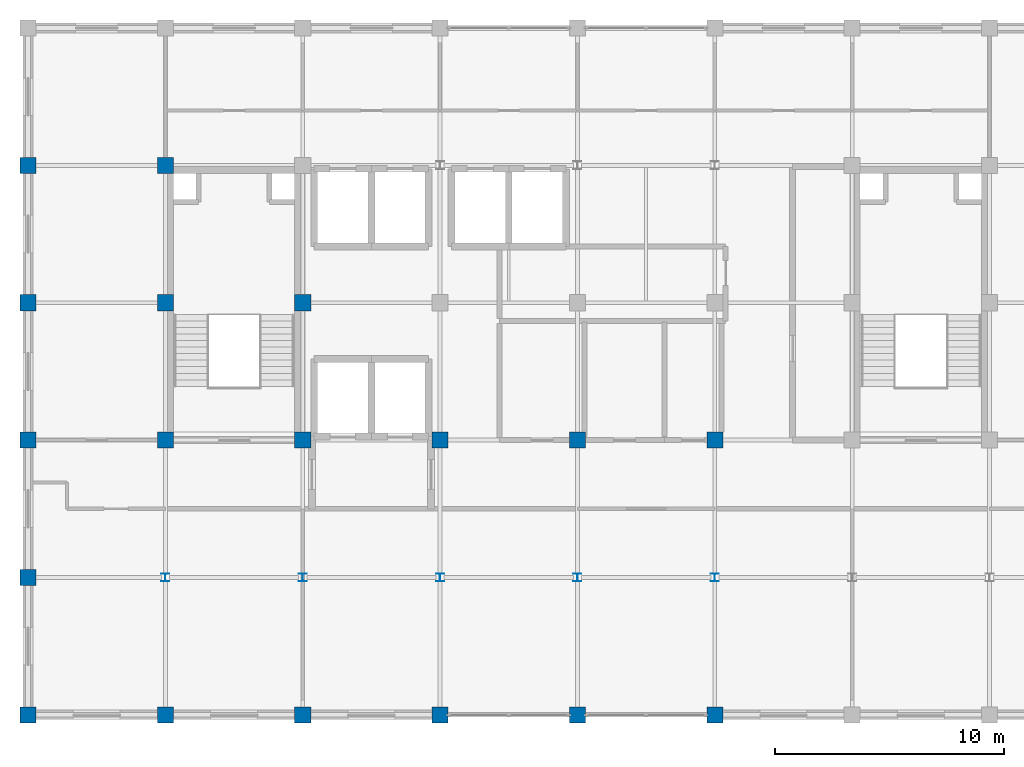
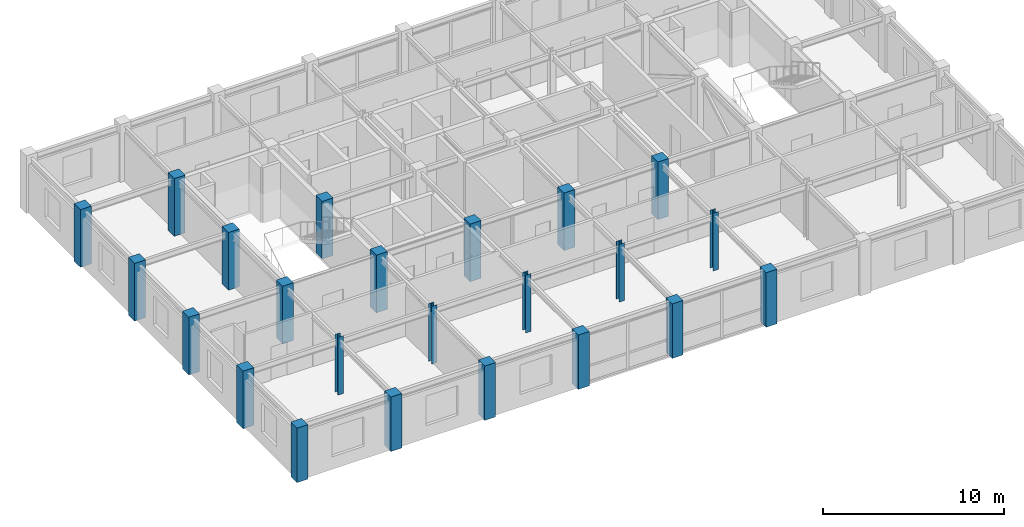
# One storey, part 1 of 13: 23 columns.
"""IFC4 building model written with IfcOpenShell, lengths in metres."""

import ifcopenshell
import ifcopenshell.guid

model = None  # the IFC model being written
_history = None  # IfcOwnerHistory: only IFC2X3 demands one
_inside = {}  # id of a spatial element -> (the spatial element, [elements in it])
_under = {}  # id of a project, library or spatial element -> (it, [spatial elements below it])
_declared = {}  # id of a project -> (the project, [libraries it declares])
_typed = {}  # id of a type object -> (the type object, [elements of that type])
_made_of = {}  # id of a material, layer set ... -> (it, [elements and type objects made of it])


def new_model(schema):
    """Start an empty IFC model of exactly this schema.

    Asked for "IFC4X3", IfcOpenShell would pick the latest addendum, in which some entities
    have other attributes; the version numbers below select the first issue.
    IFC2X3 requires an IfcOwnerHistory on every rooted entity: one is made here for all.
    """
    global model, _history
    if schema == "IFC4X3":
        model = ifcopenshell.file(schema_version=(4, 3, 0, 0))
    else:
        model = ifcopenshell.file(schema=schema)
    _inside.clear()
    _under.clear()
    _declared.clear()
    _typed.clear()
    _made_of.clear()
    _history = None
    if model.schema == "IFC2X3":
        org = make("IfcOrganization", Name="unknown")
        user = make(
            "IfcPersonAndOrganization",
            ThePerson=make("IfcPerson", FamilyName="unknown"),
            TheOrganization=org,
        )
        app = make(
            "IfcApplication",
            ApplicationDeveloper=org,
            Version="unknown",
            ApplicationFullName="unknown",
            ApplicationIdentifier="unknown",
        )
        _history = make(
            "IfcOwnerHistory",
            OwningUser=user,
            OwningApplication=app,
            ChangeAction="ADDED",
            CreationDate=0,
        )
    return model


def make(cls, **values):
    """One entity of the class cls with the attributes given. An attribute that is None is left unset."""
    return model.create_entity(
        cls, **{name: value for name, value in values.items() if value is not None}
    )


def rooted(cls, **values):
    """An entity with a GlobalId (a new one), such as an element, a storey or a relation."""
    return make(cls, GlobalId=ifcopenshell.guid.new(), OwnerHistory=_history, **values)


def si_unit(unit_type, name, prefix=None):
    """IfcSIUnit, for example si_unit("LENGTHUNIT", "METRE", prefix="MILLI")."""
    return make("IfcSIUnit", UnitType=unit_type, Prefix=prefix, Name=name)


def assignment(units):
    """IfcUnitAssignment: the units of a project."""
    return None if units is None else make("IfcUnitAssignment", Units=units)


def point(xyz):
    """IfcCartesianPoint."""
    return None if xyz is None else make("IfcCartesianPoint", Coordinates=xyz)


def direction(xyz):
    """IfcDirection."""
    return None if xyz is None else make("IfcDirection", DirectionRatios=xyz)


def frame(location, z_axis=None, x_axis=None):
    """IfcAxis2Placement3D, a coordinate frame: its origin and axes. An axis left out is left unset."""
    return make(
        "IfcAxis2Placement3D",
        Location=point(location),
        Axis=direction(z_axis),
        RefDirection=direction(x_axis),
    )


def frame_2d(location, x_axis=None):
    """IfcAxis2Placement2D, a coordinate frame in the plane: its origin and x axis."""
    return make(
        "IfcAxis2Placement2D", Location=point(location), RefDirection=direction(x_axis)
    )


def origin():
    """The frame at (0, 0, 0) with its axes left unset."""
    return frame((0.0, 0.0, 0.0))


def origin_2d():
    """The frame at (0, 0) in the plane with its x axis left unset."""
    return frame_2d((0.0, 0.0))


def place(relative_to, where):
    """IfcLocalPlacement: puts the frame where relative to a parent placement (None: the world)."""
    return make(
        "IfcLocalPlacement", PlacementRelTo=relative_to, RelativePlacement=where
    )


def context(
    kind, dimensions, precision=None, world=None, true_north=None, identifier=None
):
    """IfcGeometricRepresentationContext, for example the 3D "Model" context."""
    return make(
        "IfcGeometricRepresentationContext",
        ContextIdentifier=identifier,
        ContextType=kind,
        CoordinateSpaceDimension=dimensions,
        Precision=precision,
        WorldCoordinateSystem=world,
        TrueNorth=true_north,
    )


def subcontext(parent, identifier, kind, view, scale=None):
    """IfcGeometricRepresentationSubContext, for example "Body" below "Model"."""
    return make(
        "IfcGeometricRepresentationSubContext",
        ContextIdentifier=identifier,
        ContextType=kind,
        ParentContext=parent,
        TargetScale=scale,
        TargetView=view,
    )


def project(units=None, contexts=None):
    """IfcProject with its units and contexts."""
    return rooted(
        "IfcProject",
        Name="project",
        RepresentationContexts=contexts,
        UnitsInContext=assignment(units),
    )


def spatial(cls, under=None, at=None, **own):
    """A site, building, storey or space (cls), placed at a placement, below another one or the project."""
    s = rooted(cls, ObjectPlacement=at, **own)
    if under is not None:
        _under.setdefault(under.id(), (under, []))[1].append(s)
    return s


def profile(cls, at=None, kind="AREA", **sizes):
    """A parametric profile (cls). Its sizes go by their IFC names, for example OverallWidth=200.0."""
    return make(cls, ProfileType=kind, Position=at, **sizes)


def rectangle(**sizes):
    """IfcRectangleProfileDef."""
    return profile("IfcRectangleProfileDef", **sizes)


def i_section(**sizes):
    """IfcIShapeProfileDef."""
    return profile("IfcIShapeProfileDef", **sizes)


def extrude(swept, where, along, depth):
    """IfcExtrudedAreaSolid: the profile swept, set in the frame where, extruded along a direction by depth."""
    return make(
        "IfcExtrudedAreaSolid",
        SweptArea=swept,
        Position=where,
        ExtrudedDirection=direction(along),
        Depth=depth,
    )


def shape(context_of_items, identifier, shape_type, items):
    """IfcShapeRepresentation: the items that make up one representation, for example the "Body"."""
    return make(
        "IfcShapeRepresentation",
        ContextOfItems=context_of_items,
        RepresentationIdentifier=identifier,
        RepresentationType=shape_type,
        Items=items,
    )


def material(Name=None, Category=None):
    """IfcMaterial."""
    return make("IfcMaterial", Name=Name, Category=Category)


def material_profile(
    of_material, cross_section, Name=None, Category=None, Priority=None
):
    """IfcMaterialProfile: a cross section and its material."""
    return make(
        "IfcMaterialProfile",
        Name=Name,
        Material=of_material,
        Profile=cross_section,
        Priority=Priority,
        Category=Category,
    )


def profile_set(profiles, Name=None, composite=None):
    """IfcMaterialProfileSet."""
    return make(
        "IfcMaterialProfileSet",
        Name=Name,
        MaterialProfiles=profiles,
        CompositeProfile=composite,
    )


def made_of(thing, what):
    """Note that an element or type object is made of a material, layer set ...; save() writes the relation."""
    if what is not None:
        _made_of.setdefault(what.id(), (what, []))[1].append(thing)
    return thing


def type_object(cls, material=None, **own):
    """A type object (cls), such as IfcWallType, which elements share."""
    return made_of(rooted(cls, **own), material)


def element(
    cls,
    number,
    at=None,
    inside=None,
    cuts=None,
    type_object=None,
    material=None,
    context=None,
    identifier="Body",
    shape_type=None,
    held_by="IfcProductDefinitionShape",
    body=None,
    shapes=None,
    **own,
):
    """One element of the class cls, such as IfcWall. Its Tag is "e" and its number.

    at: its placement. inside: the storey or other place that contains it. cuts: it is an
    opening in that element (IfcRelVoidsElement). A single representation is given by context,
    identifier, shape_type and body (its items); several are given by shapes. held_by: the class
    of the entity that holds the representations. save() writes the other relations.
    """
    e = rooted(cls, Tag="e%d" % number, ObjectPlacement=at, **own)
    if body is not None:
        shapes = [shape(context, identifier, shape_type, body)]
    if shapes is not None:
        e.Representation = make(held_by, Representations=shapes)
    if inside is not None:
        _inside.setdefault(inside.id(), (inside, []))[1].append(e)
    if cuts is not None:
        rooted(
            "IfcRelVoidsElement", RelatingBuildingElement=cuts, RelatedOpeningElement=e
        )
    if type_object is not None:
        _typed.setdefault(type_object.id(), (type_object, []))[1].append(e)
    return made_of(e, material)


def aggregate(whole, parts):
    """IfcRelAggregates: a whole, such as a stair, and the parts it consists of."""
    return rooted("IfcRelAggregates", RelatingObject=whole, RelatedObjects=parts)


def save(model, path):
    """Write the relations noted so far, then the file.

    IfcRelAggregates (storeys below a building ...), IfcRelContainedInSpatialStructure (elements
    in a storey), IfcRelDefinesByType, IfcRelAssociatesMaterial and IfcRelDeclares: one each for
    every whole, place, type object, material and project.
    """
    for whole, parts in _under.values():
        aggregate(whole, parts)
    for where, things in _inside.values():
        rooted(
            "IfcRelContainedInSpatialStructure",
            RelatedElements=things,
            RelatingStructure=where,
        )
    for kind, things in _typed.values():
        rooted("IfcRelDefinesByType", RelatedObjects=things, RelatingType=kind)
    for what, things in _made_of.values():
        rooted("IfcRelAssociatesMaterial", RelatedObjects=things, RelatingMaterial=what)
    for by, libraries in _declared.values():
        rooted("IfcRelDeclares", RelatingContext=by, RelatedDefinitions=libraries)
    model.write(path)


model = new_model("IFC4")

# Units and contexts
model_context = context("Model", 3, precision=1e-05, world=origin(), true_north=direction((0.0, 1.0)))
body_context = subcontext(model_context, "Body", "Model", "MODEL_VIEW")
ifc_project = project(units=[si_unit("LENGTHUNIT", "METRE"), si_unit("AREAUNIT", "SQUARE_METRE"), si_unit("VOLUMEUNIT", "CUBIC_METRE"), si_unit("PLANEANGLEUNIT", "RADIAN"), si_unit("MASSUNIT", "GRAM", prefix="KILO")], contexts=[model_context])

# Site, building, storey
site_placement = place(None, origin())
site = spatial("IfcSite", under=ifc_project, at=site_placement, CompositionType="ELEMENT")
building_placement = place(site_placement, origin())
building = spatial("IfcBuilding", under=site, at=building_placement, Name="Zlatovratsky Civic Hall", CompositionType="ELEMENT")
storey_placement = place(building_placement, frame((0.0, 0.0, 48.300048828125)))
storey = spatial("IfcBuildingStorey", under=building, at=storey_placement, Name="L12", CompositionType="ELEMENT", Elevation=48.300048828125)

# Columns
ifc_material_1 = material(Name="Concrete C35/45 (B40)", Category="concrete")
ifc_material_profile_1 = material_profile(ifc_material_1, rectangle(XDim=0.699951171875, YDim=0.699951171875, at=origin_2d()), Name="RC 700x700")
ifc_profile_set_1 = profile_set([ifc_material_profile_1], Name="Concrete C35/45 (B40)")
column_type_1 = type_object("IfcColumnType", Name="Col_CorePier_RC700", PredefinedType="COLUMN", material=ifc_profile_set_1)
for number, where, z_axis, x_axis, name in (
    (1, (60.0, 72.0, 0.0), (0.0, 0.0, 1.0), (1.0, 0.0, 0.0), "CL-2411"),
    (2, (66.0, 72.0, 0.0), (0.0, 0.0, 1.0), (1.0, 0.0, 0.0), "CL-2412"),
    (3, (72.0, 72.0, 0.0), (0.0, 0.0, 1.0), (1.0, 0.0, 0.0), "CL-2413"),
    (4, (78.0, 72.0, 0.0), (0.0, 0.0, 1.0), (1.0, 0.0, 0.0), "CL-2414"),
    (5, (84.0, 72.0, 0.0), (0.0, 0.0, 1.0), (1.0, 0.0, 0.0), "CL-2415"),
    (6, (90.0, 72.0, 0.0), (0.0, 0.0, 1.0), (1.0, 0.0, 0.0), "CL-2416"),
):
    element("IfcColumn", number, at=place(storey_placement, frame(where, z_axis=z_axis, x_axis=x_axis)), inside=storey, type_object=column_type_1, Name=name, PredefinedType="COLUMN", context=body_context, shape_type="SweptSolid", body=[
        extrude(rectangle(XDim=0.699951171875, YDim=0.699951171875, at=origin_2d()), origin(), (0.0, 0.0, 1.0), 3.679931640625),
    ])
for number, where, z_axis, x_axis, name in (
    (7, (60.0, 78.0, 0.0), (0.0, 0.0, 1.0), (1.0, 0.0, 0.0), "CL-2420"),
    (8, (60.0, 84.0, 0.0), (0.0, 0.0, 1.0), (1.0, 0.0, 0.0), "CL-2429"),
    (9, (66.0, 84.0, 0.0), (0.0, 0.0, 1.0), (1.0, 0.0, 0.0), "CL-2430"),
    (10, (72.0, 84.0, 0.0), (0.0, 0.0, 1.0), (1.0, 0.0, 0.0), "CL-2431"),
    (11, (78.0, 84.0, 0.0), (0.0, 0.0, 1.0), (1.0, 0.0, 0.0), "CL-2432"),
    (12, (84.0, 84.0, 0.0), (0.0, 0.0, 1.0), (1.0, 0.0, 0.0), "CL-2433"),
    (13, (90.0, 84.0, 0.0), (0.0, 0.0, 1.0), (1.0, 0.0, 0.0), "CL-2434"),
    (14, (60.0, 90.0, 0.0), (0.0, 0.0, 1.0), (1.0, 0.0, 0.0), "CL-2438"),
    (15, (66.0, 90.0, 0.0), (0.0, 0.0, 1.0), (1.0, 0.0, 0.0), "CL-2439"),
    (16, (72.0, 90.0, 0.0), (0.0, 0.0, 1.0), (1.0, 0.0, 0.0), "CL-2440"),
    (17, (60.0, 96.0, 0.0), (0.0, 0.0, 1.0), (1.0, 0.0, 0.0), "CL-2447"),
    (18, (66.0, 96.0, 0.0), (0.0, 0.0, 1.0), (1.0, 0.0, 0.0), "CL-2448"),
):
    element("IfcColumn", number, at=place(storey_placement, frame(where, z_axis=z_axis, x_axis=x_axis)), inside=storey, type_object=column_type_1, Name=name, PredefinedType="COLUMN", context=body_context, shape_type="SweptSolid", body=[
        extrude(rectangle(XDim=0.699951171875, YDim=0.699951171875, at=origin_2d()), origin(), (0.0, 0.0, 1.0), 3.89990234375),
    ])
ifc_material_2 = material(Name="Steel S355", Category="steel")
ifc_material_profile_2 = material_profile(ifc_material_2, i_section(OverallWidth=0.35009765625, OverallDepth=0.343017578125, WebThickness=0.010009765625, FlangeThickness=0.014892578125, FilletRadius=0.02001953125, at=origin_2d()), Name="35K1")
ifc_profile_set_2 = profile_set([ifc_material_profile_2], Name="Steel S355")
column_type_2 = type_object("IfcColumnType", Name="Col_Steel_35K1", PredefinedType="COLUMN", material=ifc_profile_set_2)
for number, where, z_axis, x_axis, name in (
    (19, (66.0, 78.0, 0.0), (0.0, 0.0, 1.0), (1.0, 0.0, 0.0), "CL-2421"),
    (20, (72.0, 78.0, 0.0), (0.0, 0.0, 1.0), (1.0, 0.0, 0.0), "CL-2422"),
    (21, (78.0, 78.0, 0.0), (0.0, 0.0, 1.0), (1.0, 0.0, 0.0), "CL-2423"),
    (22, (84.0, 78.0, 0.0), (0.0, 0.0, 1.0), (1.0, 0.0, 0.0), "CL-2424"),
    (23, (90.0, 78.0, 0.0), (0.0, 0.0, 1.0), (1.0, 0.0, 0.0), "CL-2425"),
):
    element("IfcColumn", number, at=place(storey_placement, frame(where, z_axis=z_axis, x_axis=x_axis)), inside=storey, type_object=column_type_2, Name=name, PredefinedType="COLUMN", context=body_context, shape_type="SweptSolid", body=[
        extrude(i_section(OverallWidth=0.35009765625, OverallDepth=0.343017578125, WebThickness=0.010009765625, FlangeThickness=0.014892578125, FilletRadius=0.02001953125, at=origin_2d()), origin(), (0.0, 0.0, 1.0), 3.89990234375),
    ])

save(model, "model.ifc")
